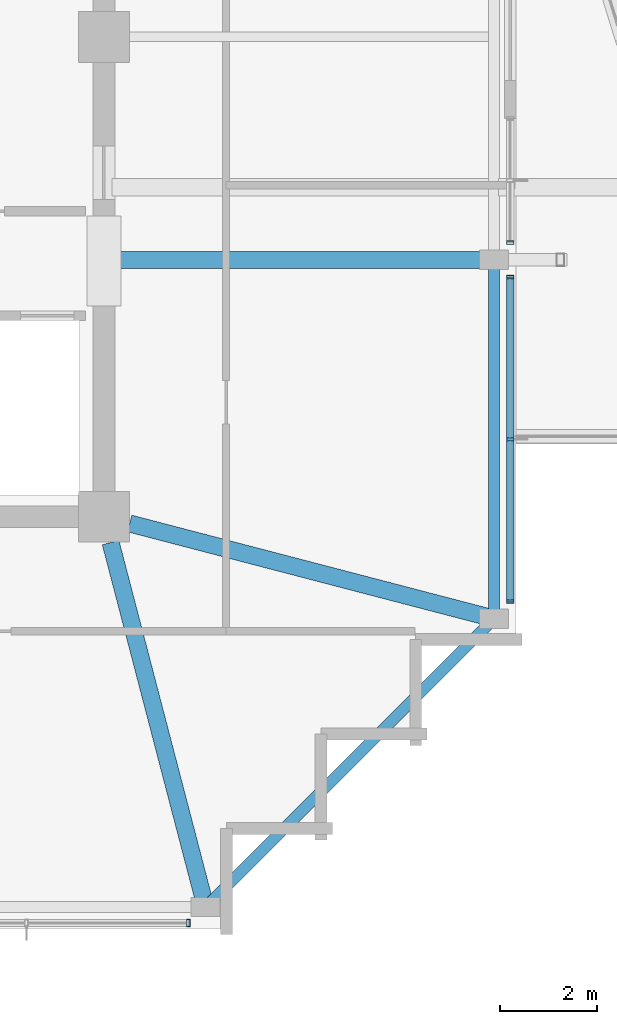
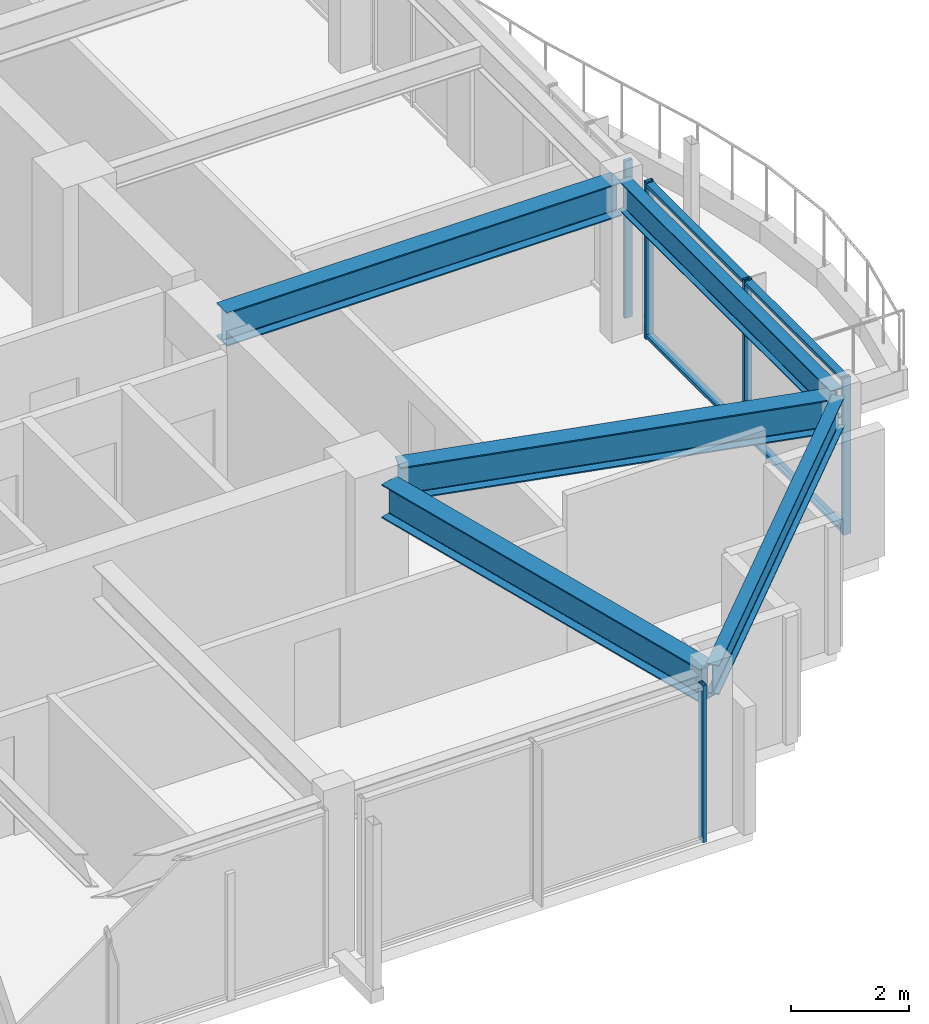
# One storey, part 11 of 31: 7 members, 5 beams, 3 elements without a shape of their own.
"""IFC4 building model written with IfcOpenShell, lengths in metres."""

import ifcopenshell
import ifcopenshell.guid

model = None  # the IFC model being written
_history = None  # IfcOwnerHistory: only IFC2X3 demands one
_inside = {}  # id of a spatial element -> (the spatial element, [elements in it])
_under = {}  # id of a project, library or spatial element -> (it, [spatial elements below it])
_declared = {}  # id of a project -> (the project, [libraries it declares])
_typed = {}  # id of a type object -> (the type object, [elements of that type])
_made_of = {}  # id of a material, layer set ... -> (it, [elements and type objects made of it])


def new_model(schema):
    """Start an empty IFC model of exactly this schema.

    Asked for "IFC4X3", IfcOpenShell would pick the latest addendum, in which some entities
    have other attributes; the version numbers below select the first issue.
    IFC2X3 requires an IfcOwnerHistory on every rooted entity: one is made here for all.
    """
    global model, _history
    if schema == "IFC4X3":
        model = ifcopenshell.file(schema_version=(4, 3, 0, 0))
    else:
        model = ifcopenshell.file(schema=schema)
    _inside.clear()
    _under.clear()
    _declared.clear()
    _typed.clear()
    _made_of.clear()
    _history = None
    if model.schema == "IFC2X3":
        org = make("IfcOrganization", Name="unknown")
        user = make(
            "IfcPersonAndOrganization",
            ThePerson=make("IfcPerson", FamilyName="unknown"),
            TheOrganization=org,
        )
        app = make(
            "IfcApplication",
            ApplicationDeveloper=org,
            Version="unknown",
            ApplicationFullName="unknown",
            ApplicationIdentifier="unknown",
        )
        _history = make(
            "IfcOwnerHistory",
            OwningUser=user,
            OwningApplication=app,
            ChangeAction="ADDED",
            CreationDate=0,
        )
    return model


def make(cls, **values):
    """One entity of the class cls with the attributes given. An attribute that is None is left unset."""
    return model.create_entity(
        cls, **{name: value for name, value in values.items() if value is not None}
    )


def rooted(cls, **values):
    """An entity with a GlobalId (a new one), such as an element, a storey or a relation."""
    return make(cls, GlobalId=ifcopenshell.guid.new(), OwnerHistory=_history, **values)


def si_unit(unit_type, name, prefix=None):
    """IfcSIUnit, for example si_unit("LENGTHUNIT", "METRE", prefix="MILLI")."""
    return make("IfcSIUnit", UnitType=unit_type, Prefix=prefix, Name=name)


def assignment(units):
    """IfcUnitAssignment: the units of a project."""
    return None if units is None else make("IfcUnitAssignment", Units=units)


def point(xyz):
    """IfcCartesianPoint."""
    return None if xyz is None else make("IfcCartesianPoint", Coordinates=xyz)


def direction(xyz):
    """IfcDirection."""
    return None if xyz is None else make("IfcDirection", DirectionRatios=xyz)


def frame(location, z_axis=None, x_axis=None):
    """IfcAxis2Placement3D, a coordinate frame: its origin and axes. An axis left out is left unset."""
    return make(
        "IfcAxis2Placement3D",
        Location=point(location),
        Axis=direction(z_axis),
        RefDirection=direction(x_axis),
    )


def frame_2d(location, x_axis=None):
    """IfcAxis2Placement2D, a coordinate frame in the plane: its origin and x axis."""
    return make(
        "IfcAxis2Placement2D", Location=point(location), RefDirection=direction(x_axis)
    )


def origin():
    """The frame at (0, 0, 0) with its axes left unset."""
    return frame((0.0, 0.0, 0.0))


def origin_2d():
    """The frame at (0, 0) in the plane with its x axis left unset."""
    return frame_2d((0.0, 0.0))


def place(relative_to, where):
    """IfcLocalPlacement: puts the frame where relative to a parent placement (None: the world)."""
    return make(
        "IfcLocalPlacement", PlacementRelTo=relative_to, RelativePlacement=where
    )


def context(
    kind, dimensions, precision=None, world=None, true_north=None, identifier=None
):
    """IfcGeometricRepresentationContext, for example the 3D "Model" context."""
    return make(
        "IfcGeometricRepresentationContext",
        ContextIdentifier=identifier,
        ContextType=kind,
        CoordinateSpaceDimension=dimensions,
        Precision=precision,
        WorldCoordinateSystem=world,
        TrueNorth=true_north,
    )


def subcontext(parent, identifier, kind, view, scale=None):
    """IfcGeometricRepresentationSubContext, for example "Body" below "Model"."""
    return make(
        "IfcGeometricRepresentationSubContext",
        ContextIdentifier=identifier,
        ContextType=kind,
        ParentContext=parent,
        TargetScale=scale,
        TargetView=view,
    )


def project(units=None, contexts=None):
    """IfcProject with its units and contexts."""
    return rooted(
        "IfcProject",
        Name="project",
        RepresentationContexts=contexts,
        UnitsInContext=assignment(units),
    )


def spatial(cls, under=None, at=None, **own):
    """A site, building, storey or space (cls), placed at a placement, below another one or the project."""
    s = rooted(cls, ObjectPlacement=at, **own)
    if under is not None:
        _under.setdefault(under.id(), (under, []))[1].append(s)
    return s


def profile(cls, at=None, kind="AREA", **sizes):
    """A parametric profile (cls). Its sizes go by their IFC names, for example OverallWidth=200.0."""
    return make(cls, ProfileType=kind, Position=at, **sizes)


def hollow_rectangle(**sizes):
    """IfcRectangleHollowProfileDef."""
    return profile("IfcRectangleHollowProfileDef", **sizes)


def i_section(**sizes):
    """IfcIShapeProfileDef."""
    return profile("IfcIShapeProfileDef", **sizes)


def extrude(swept, where, along, depth):
    """IfcExtrudedAreaSolid: the profile swept, set in the frame where, extruded along a direction by depth."""
    return make(
        "IfcExtrudedAreaSolid",
        SweptArea=swept,
        Position=where,
        ExtrudedDirection=direction(along),
        Depth=depth,
    )


def shape(context_of_items, identifier, shape_type, items):
    """IfcShapeRepresentation: the items that make up one representation, for example the "Body"."""
    return make(
        "IfcShapeRepresentation",
        ContextOfItems=context_of_items,
        RepresentationIdentifier=identifier,
        RepresentationType=shape_type,
        Items=items,
    )


def material(Name=None, Category=None):
    """IfcMaterial."""
    return make("IfcMaterial", Name=Name, Category=Category)


def material_profile(
    of_material, cross_section, Name=None, Category=None, Priority=None
):
    """IfcMaterialProfile: a cross section and its material."""
    return make(
        "IfcMaterialProfile",
        Name=Name,
        Material=of_material,
        Profile=cross_section,
        Priority=Priority,
        Category=Category,
    )


def profile_set(profiles, Name=None, composite=None):
    """IfcMaterialProfileSet."""
    return make(
        "IfcMaterialProfileSet",
        Name=Name,
        MaterialProfiles=profiles,
        CompositeProfile=composite,
    )


def made_of(thing, what):
    """Note that an element or type object is made of a material, layer set ...; save() writes the relation."""
    if what is not None:
        _made_of.setdefault(what.id(), (what, []))[1].append(thing)
    return thing


def type_object(cls, material=None, **own):
    """A type object (cls), such as IfcWallType, which elements share."""
    return made_of(rooted(cls, **own), material)


def element(
    cls,
    number,
    at=None,
    inside=None,
    cuts=None,
    type_object=None,
    material=None,
    context=None,
    identifier="Body",
    shape_type=None,
    held_by="IfcProductDefinitionShape",
    body=None,
    shapes=None,
    **own,
):
    """One element of the class cls, such as IfcWall. Its Tag is "e" and its number.

    at: its placement. inside: the storey or other place that contains it. cuts: it is an
    opening in that element (IfcRelVoidsElement). A single representation is given by context,
    identifier, shape_type and body (its items); several are given by shapes. held_by: the class
    of the entity that holds the representations. save() writes the other relations.
    """
    e = rooted(cls, Tag="e%d" % number, ObjectPlacement=at, **own)
    if body is not None:
        shapes = [shape(context, identifier, shape_type, body)]
    if shapes is not None:
        e.Representation = make(held_by, Representations=shapes)
    if inside is not None:
        _inside.setdefault(inside.id(), (inside, []))[1].append(e)
    if cuts is not None:
        rooted(
            "IfcRelVoidsElement", RelatingBuildingElement=cuts, RelatedOpeningElement=e
        )
    if type_object is not None:
        _typed.setdefault(type_object.id(), (type_object, []))[1].append(e)
    return made_of(e, material)


def aggregate(whole, parts):
    """IfcRelAggregates: a whole, such as a stair, and the parts it consists of."""
    return rooted("IfcRelAggregates", RelatingObject=whole, RelatedObjects=parts)


def save(model, path):
    """Write the relations noted so far, then the file.

    IfcRelAggregates (storeys below a building ...), IfcRelContainedInSpatialStructure (elements
    in a storey), IfcRelDefinesByType, IfcRelAssociatesMaterial and IfcRelDeclares: one each for
    every whole, place, type object, material and project.
    """
    for whole, parts in _under.values():
        aggregate(whole, parts)
    for where, things in _inside.values():
        rooted(
            "IfcRelContainedInSpatialStructure",
            RelatedElements=things,
            RelatingStructure=where,
        )
    for kind, things in _typed.values():
        rooted("IfcRelDefinesByType", RelatedObjects=things, RelatingType=kind)
    for what, things in _made_of.values():
        rooted("IfcRelAssociatesMaterial", RelatedObjects=things, RelatingMaterial=what)
    for by, libraries in _declared.values():
        rooted("IfcRelDeclares", RelatingContext=by, RelatedDefinitions=libraries)
    model.write(path)


model = new_model("IFC4")

# Units and contexts
model_context = context("Model", 3, precision=1e-05, world=origin(), true_north=direction((0.0, 1.0)))
body_context = subcontext(model_context, "Body", "Model", "MODEL_VIEW")
ifc_project = project(units=[si_unit("LENGTHUNIT", "METRE"), si_unit("AREAUNIT", "SQUARE_METRE"), si_unit("VOLUMEUNIT", "CUBIC_METRE"), si_unit("PLANEANGLEUNIT", "RADIAN"), si_unit("MASSUNIT", "GRAM", prefix="KILO")], contexts=[model_context])

# Site, building, storey
site_placement = place(None, origin())
site = spatial("IfcSite", under=ifc_project, at=site_placement, CompositionType="ELEMENT")
building_placement = place(site_placement, origin())
building = spatial("IfcBuilding", under=site, at=building_placement, Name="Kolvaren Belvedere", CompositionType="ELEMENT")
storey_placement = place(building_placement, frame((0.0, 0.0, 251.39990234375)))
storey = spatial("IfcBuildingStorey", under=building, at=storey_placement, Name="L73", CompositionType="ELEMENT", Elevation=251.39990234375)

# Beams
ifc_material_1 = material(Name="Structural steel ASTM A992 Grade 50", Category="steel")
ifc_material_profile_1 = material_profile(ifc_material_1, i_section(OverallWidth=0.35498046875, OverallDepth=0.696044921875, WebThickness=0.015380859375, FlangeThickness=0.02490234375, FilletRadius=0.02197265625, at=origin_2d()), Name="W27X146")
ifc_profile_set_1 = profile_set([ifc_material_profile_1], Name="Structural steel ASTM A992 Grade 50")
beam_type_1 = type_object("IfcBeamType", Name="BM-GIRD-W27X146", PredefinedType="BEAM", material=ifc_profile_set_1)
beam_1_placement = place(storey_placement, frame((10.125, -4.60009765625, 2.902099609375), z_axis=(1.0, 0.0, 0.0), x_axis=(0.0, 1.0, 0.0)))
element("IfcBeam", 1, at=beam_1_placement, inside=storey, type_object=beam_type_1, Name="L73 East Radial Girder M", PredefinedType="BEAM", context=body_context, shape_type="SweptSolid", body=[
    extrude(i_section(OverallWidth=0.35498046875, OverallDepth=0.696044921875, WebThickness=0.015380859375, FlangeThickness=0.02490234375, FilletRadius=0.02197265625, at=origin_2d()), origin(), (0.0, 0.0, 1.0), 7.735107421875),
])
for number, where, z_axis, x_axis, name in (
    (2, (10.038818359375, -10.43212890625, 2.902099609375), (0.252414142221, -0.967619295388, 0.0), (0.967619295388, 0.252414142221, 0.0), "L73 Corner Core-to-Perimeter Girder CC2-S4"),
    (3, (10.43212890625, -10.038818359375, 2.902099609375), (0.967619295388, -0.252414142221, 0.0), (0.252414142221, 0.967619295388, 0.0), "L73 Corner Core-to-Perimeter Girder CC2-E1"),
):
    element("IfcBeam", number, at=place(storey_placement, frame(where, z_axis=z_axis, x_axis=x_axis)), inside=storey, type_object=beam_type_1, Name=name, PredefinedType="BEAM", context=body_context, shape_type="SweptSolid", body=[
        extrude(i_section(OverallWidth=0.35498046875, OverallDepth=0.696044921875, WebThickness=0.015380859375, FlangeThickness=0.02490234375, FilletRadius=0.02197265625, at=origin_2d()), origin(), (0.0, 0.0, 1.0), 7.689453125),
    ])
ifc_material_2 = material(Name="Structural steel ASTM A992 Grade 50", Category="steel")
ifc_material_profile_2 = material_profile(ifc_material_2, i_section(OverallWidth=0.22900390625, OverallDepth=0.612060546875, WebThickness=0.011962890625, FlangeThickness=0.01953125, FilletRadius=0.01806640625, at=origin_2d()), Name="W24X84")
ifc_profile_set_2 = profile_set([ifc_material_profile_2], Name="Structural steel ASTM A992 Grade 50")
beam_type_2 = type_object("IfcBeamType", Name="BM-SPAN-W24X84", PredefinedType="SPANDREL", material=ifc_profile_set_2)
beam_2_placement = place(storey_placement, frame((12.063720703125, -17.886474609375, 2.944091796875), z_axis=(0.707106781187, 0.707106781187, 0.0), x_axis=(-0.707106781187, 0.707106781187, 0.0)))
element("IfcBeam", 4, at=beam_2_placement, inside=storey, type_object=beam_type_2, Name="L73 Perimeter Spandrel S4-E1", PredefinedType="SPANDREL", context=body_context, shape_type="SweptSolid", body=[
    extrude(i_section(OverallWidth=0.22900390625, OverallDepth=0.612060546875, WebThickness=0.011962890625, FlangeThickness=0.01953125, FilletRadius=0.01806640625, at=origin_2d()), origin(), (0.0, 0.0, 1.0), 8.234619140625),
])
beam_3_placement = place(storey_placement, frame((17.949951171875, -11.909912109375, 2.944091796875), z_axis=(0.0, 1.0, 0.0), x_axis=(-1.0, 0.0, 0.0)))
element("IfcBeam", 5, at=beam_3_placement, inside=storey, type_object=beam_type_2, Name="L73 Perimeter Spandrel E1-E2", PredefinedType="SPANDREL", context=body_context, shape_type="SweptSolid", body=[
    extrude(i_section(OverallWidth=0.22900390625, OverallDepth=0.612060546875, WebThickness=0.011962890625, FlangeThickness=0.01953125, FilletRadius=0.01806640625, at=origin_2d()), origin(), (0.0, 0.0, 1.0), 7.219970703125),
])

# Curtain wall, member
ifc_material_3 = material(Name="Anodised pale-metal aluminium AA 6063-T6", Category="aluminium")
curtain_wall_type = type_object("IfcCurtainWallType", Name="CW-Z5-HIGH", PredefinedType="NOTDEFINED", material=ifc_material_3)
curtain_wall_1_placement = place(storey_placement, origin())
curtain_wall_1 = element("IfcCurtainWall", 6, at=curtain_wall_1_placement, inside=storey, type_object=curtain_wall_type, Name="L73 Unitised Curtain Wall FCW-L73-S-B1", PredefinedType="NOTDEFINED")
ifc_material_4 = material(Name="Anodised pale-metal aluminium AA 6063-T6", Category="aluminium")
ifc_material_profile_3 = material_profile(ifc_material_4, hollow_rectangle(XDim=0.070068359375, YDim=0.14990234375, WallThickness=0.004150390625, at=origin_2d()), Name="ALU-MUL-150X70")
ifc_profile_set_3 = profile_set([ifc_material_profile_3], Name="Anodised pale-metal aluminium AA 6063-T6")
member_type_1 = type_object("IfcMemberType", Name="CW-MUL-150", PredefinedType="MULLION", material=ifc_profile_set_3)
member_1_placement = place(storey_placement, frame((11.64501953125, -18.280029296875, 0.0), z_axis=(0.0, 0.0, 1.0), x_axis=(1.0, 0.0, 0.0)))
member_1 = element("IfcMember", 7, at=member_1_placement, type_object=member_type_1, Name="FCW-L73-S-B1 Unitised Mullion 1", PredefinedType="MULLION", context=body_context, shape_type="SweptSolid", body=[
    extrude(hollow_rectangle(XDim=0.070068359375, YDim=0.14990234375, WallThickness=0.004150390625, at=origin_2d()), origin(), (0.0, 0.0, 1.0), 3.25),
])
aggregate(curtain_wall_1, [member_1])

curtain_wall_2_placement = place(storey_placement, origin())
curtain_wall_2 = element("IfcCurtainWall", 8, at=curtain_wall_2_placement, inside=storey, type_object=curtain_wall_type, Name="L73 Unitised Curtain Wall FCW-L73-E2-B1", PredefinedType="NOTDEFINED")
member_2_placement = place(storey_placement, frame((18.280029296875, -4.2451171875, 0.0), z_axis=(0.0, 0.0, 1.0), x_axis=(0.0, 1.0, 0.0)))
member_2 = element("IfcMember", 9, at=member_2_placement, type_object=member_type_1, Name="FCW-L73-E2-B1 Unitised Mullion 3", PredefinedType="MULLION", context=body_context, shape_type="SweptSolid", body=[
    extrude(hollow_rectangle(XDim=0.070068359375, YDim=0.14990234375, WallThickness=0.004150390625, at=origin_2d()), origin(), (0.0, 0.0, 1.0), 3.25),
])
aggregate(curtain_wall_2, [member_2])

# Curtain wall, members
curtain_wall_3_placement = place(storey_placement, origin())
curtain_wall_3 = element("IfcCurtainWall", 10, at=curtain_wall_3_placement, inside=storey, type_object=curtain_wall_type, Name="L73 Unitised Curtain Wall FCW-L73-E2-B2", PredefinedType="NOTDEFINED")
member_3_placement = place(storey_placement, frame((18.280029296875, -4.955078125, 0.0), z_axis=(0.0, 0.0, 1.0), x_axis=(0.0, 1.0, 0.0)))
member_3 = element("IfcMember", 11, at=member_3_placement, type_object=member_type_1, Name="FCW-L73-E2-B2 Unitised Mullion 1", PredefinedType="MULLION", context=body_context, shape_type="SweptSolid", body=[
    extrude(hollow_rectangle(XDim=0.070068359375, YDim=0.14990234375, WallThickness=0.004150390625, at=origin_2d()), origin(), (0.0, 0.0, 1.0), 3.25),
])
member_4_placement = place(storey_placement, frame((18.280029296875, -8.300048828125, 0.0), z_axis=(0.0, 0.0, 1.0), x_axis=(0.0, 1.0, 0.0)))
member_4 = element("IfcMember", 12, at=member_4_placement, type_object=member_type_1, Name="FCW-L73-E2-B2 Unitised Mullion 2", PredefinedType="MULLION", context=body_context, shape_type="SweptSolid", body=[
    extrude(hollow_rectangle(XDim=0.070068359375, YDim=0.14990234375, WallThickness=0.004150390625, at=origin_2d()), origin(), (0.0, 0.0, 1.0), 3.25),
])
member_5_placement = place(storey_placement, frame((18.280029296875, -11.64501953125, 0.0), z_axis=(0.0, 0.0, 1.0), x_axis=(0.0, 1.0, 0.0)))
member_5 = element("IfcMember", 13, at=member_5_placement, type_object=member_type_1, Name="FCW-L73-E2-B2 Unitised Mullion 3", PredefinedType="MULLION", context=body_context, shape_type="SweptSolid", body=[
    extrude(hollow_rectangle(XDim=0.070068359375, YDim=0.14990234375, WallThickness=0.004150390625, at=origin_2d()), origin(), (0.0, 0.0, 1.0), 3.25),
])
ifc_material_5 = material(Name="Anodised pale-metal aluminium AA 6063-T6", Category="aluminium")
ifc_material_profile_4 = material_profile(ifc_material_5, hollow_rectangle(XDim=0.06494140625, YDim=0.14990234375, WallThickness=0.00390625, at=origin_2d()), Name="ALU-TRN-150X65")
ifc_profile_set_4 = profile_set([ifc_material_profile_4], Name="Anodised pale-metal aluminium AA 6063-T6")
member_type_2 = type_object("IfcMemberType", Name="CW-TRN-150", PredefinedType="USERDEFINED", material=ifc_profile_set_4)
member_6_placement = place(storey_placement, frame((18.280029296875, -4.955078125, 0.06005859375), z_axis=(0.0, -1.0, 0.0), x_axis=(0.0, 0.0, 1.0)))
member_6 = element("IfcMember", 14, at=member_6_placement, type_object=member_type_2, Name="FCW-L73-E2-B2 Sill Transom", ObjectType="TRANSOM", PredefinedType="USERDEFINED", context=body_context, shape_type="SweptSolid", body=[
    extrude(hollow_rectangle(XDim=0.06494140625, YDim=0.14990234375, WallThickness=0.00390625, at=origin_2d()), origin(), (0.0, 0.0, 1.0), 6.68994140625),
])
member_7_placement = place(storey_placement, frame((18.280029296875, -4.955078125, 3.190185546875), z_axis=(0.0, -1.0, 0.0), x_axis=(0.0, 0.0, 1.0)))
member_7 = element("IfcMember", 15, at=member_7_placement, type_object=member_type_2, Name="FCW-L73-E2-B2 Head Transom", ObjectType="TRANSOM", PredefinedType="USERDEFINED", context=body_context, shape_type="SweptSolid", body=[
    extrude(hollow_rectangle(XDim=0.06494140625, YDim=0.14990234375, WallThickness=0.00390625, at=origin_2d()), origin(), (0.0, 0.0, 1.0), 6.68994140625),
])
aggregate(curtain_wall_3, [member_3, member_4, member_5, member_6, member_7])

save(model, "model.ifc")
